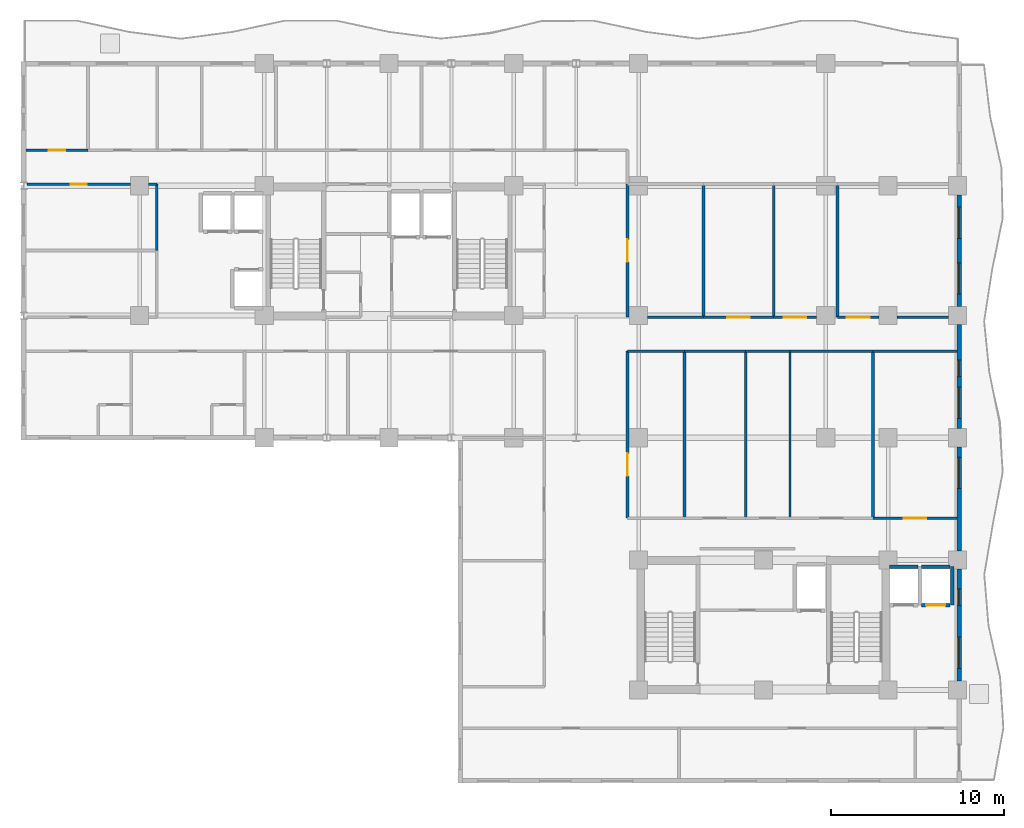
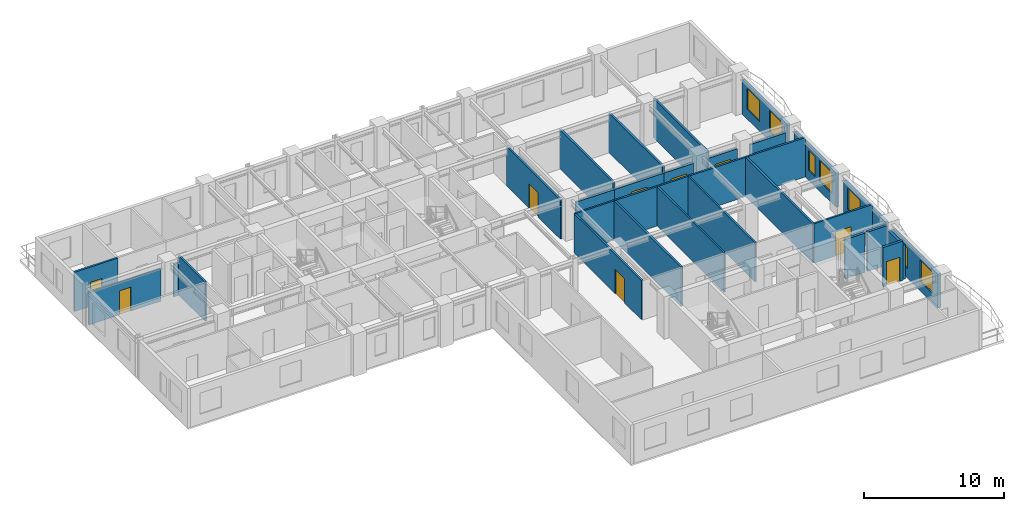
# One storey, part 7 of 12: 32 walls, 9 doors, 7 windows, 16 openings.
"""IFC4 building model written with IfcOpenShell, lengths in metres."""

from ifc_helpers import new_model, si_unit, direction, frame, frame_2d, origin, place, context, subcontext, project, spatial, rectangle, extrude, material, layer, layer_set, type_object, element, fill, save


model = new_model("IFC4")

# Units and contexts
model_context = context("Model", 3, precision=1e-05, world=origin(), true_north=direction((0.0, 1.0)))
body_context = subcontext(model_context, "Body", "Model", "MODEL_VIEW")
ifc_project = project(units=[si_unit("LENGTHUNIT", "METRE"), si_unit("AREAUNIT", "SQUARE_METRE"), si_unit("VOLUMEUNIT", "CUBIC_METRE"), si_unit("PLANEANGLEUNIT", "RADIAN"), si_unit("MASSUNIT", "GRAM", prefix="KILO")], contexts=[model_context])

# Site, building, storey
site_placement = place(None, origin())
site = spatial("IfcSite", under=ifc_project, at=site_placement, CompositionType="ELEMENT")
building_placement = place(site_placement, origin())
building = spatial("IfcBuilding", under=site, at=building_placement, Name="Kaliganga Portal Commons", CompositionType="ELEMENT")
storey_placement = place(building_placement, frame((0.0, 0.0, 147.60009765625)))
storey = spatial("IfcBuildingStorey", under=building, at=storey_placement, Name="L37", CompositionType="ELEMENT", Elevation=147.60009765625)

# Wall, openings, windows
ifc_material_1 = material(Name="Insulated Aluminium-Clad Spandrel Assembly", Category="aluminium")
ifc_layer_1 = layer(ifc_material_1, 0.260009765625)
ifc_layer_set_1 = layer_set([ifc_layer_1], Name="Insulated Aluminium-Clad Spandrel Assembly")
wall_type_1 = type_object("IfcWallType", Name="WL-EXT-SPAND-260", PredefinedType="STANDARD", material=ifc_layer_set_1)
wall_1_placement = place(storey_placement, frame((54.5, 14.02392578125, 0.0), z_axis=(0.0, 0.0, 1.0), x_axis=(0.0, -1.0, 0.0)))
wall_1 = element("IfcWall", 1, at=wall_1_placement, inside=storey, type_object=wall_type_1, Name="Exterior Envelope Wall L37 P1-E01-S2", PredefinedType="STANDARD", context=body_context, shape_type="SweptSolid", body=[
    extrude(rectangle(XDim=6.447998046875, YDim=0.260009765625, at=frame_2d((3.22412109375, 0.0))), origin(), (0.0, 0.0, 1.0), 2.989990234375),
])
opening_1_placement = place(wall_1_placement, frame((3.93603515625, 0.0, 0.85009765625)))
opening_1 = element("IfcOpeningElement", 2, at=opening_1_placement, cuts=wall_1, Name="Opening W-01", PredefinedType="OPENING", context=body_context, shape_type="SweptSolid", body=[
    extrude(rectangle(XDim=1.800048828125, YDim=1.85009765625, at=frame_2d((0.89990234375, 0.925048828125))), frame((0.0, 0.14013671875, 0.0), z_axis=(0.0, -1.0, 0.0), x_axis=(1.0, 0.0, 0.0)), (0.0, 0.0, 1.0), 0.280029296875),
])
opening_2_placement = place(wall_1_placement, frame((1.14990234375, 0.0, 0.85009765625)))
opening_2 = element("IfcOpeningElement", 3, at=opening_2_placement, cuts=wall_1, Name="Opening W-04", PredefinedType="OPENING", context=body_context, shape_type="SweptSolid", body=[
    extrude(rectangle(XDim=0.949951171875, YDim=1.75, at=frame_2d((0.47509765625, 0.875))), frame((0.0, 0.14013671875, 0.0), z_axis=(0.0, -1.0, 0.0), x_axis=(1.0, 0.0, 0.0)), (0.0, 0.0, 1.0), 0.280029296875),
])
ifc_material_2 = material(Name="Thermally Broken Aluminium and Low-E Double Glazing", Category="aluminium")
window_type_1 = type_object("IfcWindowType", Name="WIN-NARROW-950", PartitioningType="SINGLE_PANEL", PredefinedType="WINDOW", material=ifc_material_2)
window_1_placement = place(opening_2_placement, origin())
window_1 = element("IfcWindow", 4, at=window_1_placement, inside=storey, type_object=window_type_1, Name="Facade Window L37-P1E01S2-N1", OverallHeight=1.75, OverallWidth=0.949951171875, PartitioningType="SINGLE_PANEL", PredefinedType="WINDOW", context=body_context, shape_type="SweptSolid", body=[
    extrude(rectangle(XDim=0.949951171875, YDim=1.75, at=frame_2d((0.47509765625, 0.875))), frame((0.0, 0.030029296875, 0.0), z_axis=(0.0, -1.0, 0.0), x_axis=(1.0, 0.0, 0.0)), (0.0, 0.0, 1.0), 0.06005859375),
])
fill(opening_2, window_1)
window_type_2 = type_object("IfcWindowType", Name="WIN-STD-1800", PartitioningType="DOUBLE_PANEL_VERTICAL", PredefinedType="WINDOW", material=ifc_material_2)
window_2_placement = place(opening_1_placement, origin())
window_2 = element("IfcWindow", 5, at=window_2_placement, inside=storey, type_object=window_type_2, Name="Facade Window L37-P1E01S2-01", OverallHeight=1.85009765625, OverallWidth=1.800048828125, PartitioningType="SINGLE_PANEL", PredefinedType="WINDOW", context=body_context, shape_type="SweptSolid", body=[
    extrude(rectangle(XDim=1.800048828125, YDim=1.85009765625, at=frame_2d((0.89990234375, 0.925048828125))), frame((0.0, 0.030029296875, 0.0), z_axis=(0.0, -1.0, 0.0), x_axis=(1.0, 0.0, 0.0)), (0.0, 0.0, 1.0), 0.06005859375),
])
fill(opening_1, window_2)

# Wall, opening, window
wall_2_placement = place(storey_placement, frame((54.5, 21.073974609375, 0.0), z_axis=(0.0, 0.0, 1.0), x_axis=(0.0, -1.0, 0.0)))
wall_2 = element("IfcWall", 6, at=wall_2_placement, inside=storey, type_object=wall_type_1, Name="Exterior Envelope Wall L37 P1-E01-S3", PredefinedType="STANDARD", context=body_context, shape_type="SweptSolid", body=[
    extrude(rectangle(XDim=5.998046875, YDim=0.260009765625, at=frame_2d((2.9990234375, 0.0))), origin(), (0.0, 0.0, 1.0), 2.989990234375),
])
opening_3_placement = place(wall_2_placement, frame((0.599609375, 0.0, 0.85009765625)))
opening_3 = element("IfcOpeningElement", 7, at=opening_3_placement, cuts=wall_2, Name="Opening W-01", PredefinedType="OPENING", context=body_context, shape_type="SweptSolid", body=[
    extrude(rectangle(XDim=1.800048828125, YDim=1.85009765625, at=frame_2d((0.89990234375, 0.925048828125))), frame((0.0, 0.14013671875, 0.0), z_axis=(0.0, -1.0, 0.0), x_axis=(1.0, 0.0, 0.0)), (0.0, 0.0, 1.0), 0.280029296875),
])
window_3_placement = place(opening_3_placement, origin())
window_3 = element("IfcWindow", 8, at=window_3_placement, inside=storey, type_object=window_type_2, Name="Facade Window L37-P1E01S3-00", OverallHeight=1.85009765625, OverallWidth=1.800048828125, PartitioningType="SINGLE_PANEL", PredefinedType="WINDOW", context=body_context, shape_type="SweptSolid", body=[
    extrude(rectangle(XDim=1.800048828125, YDim=1.85009765625, at=frame_2d((0.89990234375, 0.925048828125))), frame((0.0, 0.030029296875, 0.0), z_axis=(0.0, -1.0, 0.0), x_axis=(1.0, 0.0, 0.0)), (0.0, 0.0, 1.0), 0.06005859375),
])
fill(opening_3, window_3)

# Wall, openings, windows
wall_3_placement = place(storey_placement, frame((54.5, 28.1240234375, 0.0), z_axis=(0.0, 0.0, 1.0), x_axis=(0.0, -1.0, 0.0)))
wall_3 = element("IfcWall", 9, at=wall_3_placement, inside=storey, type_object=wall_type_1, Name="Exterior Envelope Wall L37 P1-E01-S4", PredefinedType="STANDARD", context=body_context, shape_type="SweptSolid", body=[
    extrude(rectangle(XDim=5.998046875, YDim=0.260009765625, at=frame_2d((2.9990234375, 0.0))), origin(), (0.0, 0.0, 1.0), 2.989990234375),
])
opening_4_placement = place(wall_3_placement, frame((3.598388671875, 0.0, 0.85009765625)))
opening_4 = element("IfcOpeningElement", 10, at=opening_4_placement, cuts=wall_3, Name="Opening W-01", PredefinedType="OPENING", context=body_context, shape_type="SweptSolid", body=[
    extrude(rectangle(XDim=1.800048828125, YDim=1.85009765625, at=frame_2d((0.89990234375, 0.925048828125))), frame((0.0, 0.14013671875, 0.0), z_axis=(0.0, -1.0, 0.0), x_axis=(1.0, 0.0, 0.0)), (0.0, 0.0, 1.0), 0.280029296875),
])
opening_5_placement = place(wall_3_placement, frame((2.044189453125, 0.0, 0.85009765625)))
opening_5 = element("IfcOpeningElement", 11, at=opening_5_placement, cuts=wall_3, Name="Opening W-04", PredefinedType="OPENING", context=body_context, shape_type="SweptSolid", body=[
    extrude(rectangle(XDim=0.949951171875, YDim=1.75, at=frame_2d((0.47509765625, 0.875))), frame((0.0, 0.14013671875, 0.0), z_axis=(0.0, -1.0, 0.0), x_axis=(1.0, 0.0, 0.0)), (0.0, 0.0, 1.0), 0.280029296875),
])
window_4_placement = place(opening_5_placement, origin())
window_4 = element("IfcWindow", 12, at=window_4_placement, inside=storey, type_object=window_type_1, Name="Facade Window L37-P1E01S4-N5", OverallHeight=1.75, OverallWidth=0.949951171875, PartitioningType="SINGLE_PANEL", PredefinedType="WINDOW", context=body_context, shape_type="SweptSolid", body=[
    extrude(rectangle(XDim=0.949951171875, YDim=1.75, at=frame_2d((0.47509765625, 0.875))), frame((0.0, 0.030029296875, 0.0), z_axis=(0.0, -1.0, 0.0), x_axis=(1.0, 0.0, 0.0)), (0.0, 0.0, 1.0), 0.06005859375),
])
fill(opening_5, window_4)
window_5_placement = place(opening_4_placement, origin())
window_5 = element("IfcWindow", 13, at=window_5_placement, inside=storey, type_object=window_type_2, Name="Facade Window L37-P1E01S4-01", OverallHeight=1.85009765625, OverallWidth=1.800048828125, PartitioningType="SINGLE_PANEL", PredefinedType="WINDOW", context=body_context, shape_type="SweptSolid", body=[
    extrude(rectangle(XDim=1.800048828125, YDim=1.85009765625, at=frame_2d((0.89990234375, 0.925048828125))), frame((0.0, 0.030029296875, 0.0), z_axis=(0.0, -1.0, 0.0), x_axis=(1.0, 0.0, 0.0)), (0.0, 0.0, 1.0), 0.06005859375),
])
fill(opening_4, window_5)

wall_4_placement = place(storey_placement, frame((54.5, 35.6240234375, 0.0), z_axis=(0.0, 0.0, 1.0), x_axis=(0.0, -1.0, 0.0)))
wall_4 = element("IfcWall", 14, at=wall_4_placement, inside=storey, type_object=wall_type_1, Name="Exterior Envelope Wall L37 P1-E01-S5", PredefinedType="STANDARD", context=body_context, shape_type="SweptSolid", body=[
    extrude(rectangle(XDim=6.447998046875, YDim=0.260009765625, at=frame_2d((3.22412109375, 0.0))), origin(), (0.0, 0.0, 1.0), 2.989990234375),
])
opening_6_placement = place(wall_4_placement, frame((0.7119140625, 0.0, 0.85009765625)))
opening_6 = element("IfcOpeningElement", 15, at=opening_6_placement, cuts=wall_4, Name="Opening W-01", PredefinedType="OPENING", context=body_context, shape_type="SweptSolid", body=[
    extrude(rectangle(XDim=1.800048828125, YDim=1.85009765625, at=frame_2d((0.89990234375, 0.925048828125))), frame((0.0, 0.14013671875, 0.0), z_axis=(0.0, -1.0, 0.0), x_axis=(1.0, 0.0, 0.0)), (0.0, 0.0, 1.0), 0.280029296875),
])
opening_7_placement = place(wall_4_placement, frame((3.93603515625, 0.0, 0.85009765625)))
opening_7 = element("IfcOpeningElement", 16, at=opening_7_placement, cuts=wall_4, Name="Opening W-01", PredefinedType="OPENING", context=body_context, shape_type="SweptSolid", body=[
    extrude(rectangle(XDim=1.800048828125, YDim=1.85009765625, at=frame_2d((0.89990234375, 0.925048828125))), frame((0.0, 0.14013671875, 0.0), z_axis=(0.0, -1.0, 0.0), x_axis=(1.0, 0.0, 0.0)), (0.0, 0.0, 1.0), 0.280029296875),
])
window_6_placement = place(opening_6_placement, origin())
window_6 = element("IfcWindow", 17, at=window_6_placement, inside=storey, type_object=window_type_2, Name="Facade Window L37-P1E01S5-00", OverallHeight=1.85009765625, OverallWidth=1.800048828125, PartitioningType="SINGLE_PANEL", PredefinedType="WINDOW", context=body_context, shape_type="SweptSolid", body=[
    extrude(rectangle(XDim=1.800048828125, YDim=1.85009765625, at=frame_2d((0.89990234375, 0.925048828125))), frame((0.0, 0.030029296875, 0.0), z_axis=(0.0, -1.0, 0.0), x_axis=(1.0, 0.0, 0.0)), (0.0, 0.0, 1.0), 0.06005859375),
])
fill(opening_6, window_6)
window_7_placement = place(opening_7_placement, origin())
window_7 = element("IfcWindow", 18, at=window_7_placement, inside=storey, type_object=window_type_2, Name="Facade Window L37-P1E01S5-01", OverallHeight=1.85009765625, OverallWidth=1.800048828125, PartitioningType="SINGLE_PANEL", PredefinedType="WINDOW", context=body_context, shape_type="SweptSolid", body=[
    extrude(rectangle(XDim=1.800048828125, YDim=1.85009765625, at=frame_2d((0.89990234375, 0.925048828125))), frame((0.0, 0.030029296875, 0.0), z_axis=(0.0, -1.0, 0.0), x_axis=(1.0, 0.0, 0.0)), (0.0, 0.0, 1.0), 0.06005859375),
])
fill(opening_7, window_7)

# Wall, opening, door
ifc_material_3 = material(Name="Fire-Rated Gypsum Board on Steel Stud", Category="steel")
ifc_layer_2 = layer(ifc_material_3, 0.14990234375)
ifc_layer_set_2 = layer_set([ifc_layer_2], Name="Fire-Rated Gypsum Board on Steel Stud")
wall_type_2 = type_object("IfcWallType", Name="WL-PART-CORR-150", PredefinedType="PARTITIONING", material=ifc_layer_set_2)
wall_5_placement = place(storey_placement, frame((35.360107421875, 16.9599609375, 0.0), z_axis=(0.0, 0.0, 1.0), x_axis=(0.0, 1.0, 0.0)))
wall_5 = element("IfcWall", 19, at=wall_5_placement, inside=storey, type_object=wall_type_2, Name="Interior Partition L37-010", PredefinedType="PARTITIONING", context=body_context, shape_type="SweptSolid", body=[
    extrude(rectangle(XDim=9.64013671875, YDim=0.14990234375, at=frame_2d((4.820068359375, 0.0))), origin(), (0.0, 0.0, 1.0), 3.43994140625),
])
opening_8_placement = place(wall_5_placement, frame((2.434814453125, 0.0, 0.0)))
opening_8 = element("IfcOpeningElement", 20, at=opening_8_placement, cuts=wall_5, Name="Opening RD-03", PredefinedType="OPENING", context=body_context, shape_type="SweptSolid", body=[
    extrude(rectangle(XDim=1.300048828125, YDim=2.1201171875, at=frame_2d((0.64990234375, 1.06005859375))), frame((0.0, 0.0849609375, 0.0), z_axis=(0.0, -1.0, 0.0), x_axis=(1.0, 0.0, 0.0)), (0.0, 0.0, 1.0), 0.169921875),
])
ifc_material_4 = material(Name="Glazed Timber Seminar Vision Door", Category="wood")
door_type_1 = type_object("IfcDoorType", Name="DR-STUDY-1300", OperationType="DOUBLE_DOOR_SINGLE_SWING", PredefinedType="DOOR", material=ifc_material_4)
door_1_placement = place(opening_8_placement, origin())
door_1 = element("IfcDoor", 21, at=door_1_placement, inside=storey, type_object=door_type_1, Name="Interior Door L37-BM01", OperationType="DOUBLE_DOOR_SINGLE_SWING", OverallHeight=2.1201171875, OverallWidth=1.300048828125, PredefinedType="DOOR", context=body_context, shape_type="SweptSolid", body=[
    extrude(rectangle(XDim=1.300048828125, YDim=2.1201171875, at=frame_2d((0.64990234375, 1.06005859375))), frame((0.0, 0.02490234375, 0.0), z_axis=(0.0, -1.0, 0.0), x_axis=(1.0, 0.0, 0.0)), (0.0, 0.0, 1.0), 0.050048828125),
])
fill(opening_8, door_1)

wall_6_placement = place(storey_placement, frame((0.701904296875, 36.239990234375, 0.0), z_axis=(0.0, 0.0, 1.0), x_axis=(1.0, 0.0, 0.0)))
wall_6 = element("IfcWall", 22, at=wall_6_placement, inside=storey, type_object=wall_type_2, Name="Interior Partition L37-014", PredefinedType="PARTITIONING", context=body_context, shape_type="SweptSolid", body=[
    extrude(rectangle(XDim=5.97314453125, YDim=0.14990234375, at=frame_2d((2.986572265625, 0.0))), origin(), (0.0, 0.0, 1.0), 2.83984375),
])
opening_9_placement = place(wall_6_placement, frame((2.511474609375, 0.0, 0.0)))
opening_9 = element("IfcOpeningElement", 23, at=opening_9_placement, cuts=wall_6, Name="Opening UD-01", PredefinedType="OPENING", context=body_context, shape_type="SweptSolid", body=[
    extrude(rectangle(XDim=0.949951171875, YDim=2.10009765625, at=frame_2d((0.47509765625, 1.050048828125))), frame((0.0, 0.0849609375, 0.0), z_axis=(0.0, -1.0, 0.0), x_axis=(1.0, 0.0, 0.0)), (0.0, 0.0, 1.0), 0.169921875),
])
ifc_material_5 = material(Name="Solid-Core Timber Acoustic Fire Door", Category="wood")
door_type_2 = type_object("IfcDoorType", Name="DR-UNIT-950", OperationType="NOTDEFINED", PredefinedType="DOOR", material=ifc_material_5)
door_2_placement = place(opening_9_placement, origin())
door_2 = element("IfcDoor", 24, at=door_2_placement, inside=storey, type_object=door_type_2, Name="Interior Door L37-AW02", OperationType="SINGLE_SWING_RIGHT", OverallHeight=2.10009765625, OverallWidth=0.949951171875, PredefinedType="DOOR", context=body_context, shape_type="SweptSolid", body=[
    extrude(rectangle(XDim=0.949951171875, YDim=2.10009765625, at=frame_2d((0.47509765625, 1.050048828125))), frame((0.0, 0.02490234375, 0.0), z_axis=(0.0, -1.0, 0.0), x_axis=(1.0, 0.0, 0.0)), (0.0, 0.0, 1.0), 0.050048828125),
])
fill(opening_9, door_2)

# Wall
wall_7_placement = place(storey_placement, frame((7.72509765625, 36.239990234375, 0.0), z_axis=(0.0, 0.0, 1.0), x_axis=(1.0, 0.0, 0.0)))
element("IfcWall", 25, at=wall_7_placement, inside=storey, type_object=wall_type_2, Name="Interior Partition L37-015", PredefinedType="PARTITIONING", context=body_context, shape_type="SweptSolid", body=[
    extrude(rectangle(XDim=0.474853515625, YDim=0.14990234375, at=frame_2d((0.2373046875, 0.0))), origin(), (0.0, 0.0, 1.0), 2.83984375),
])

# Wall, opening, door
wall_8_placement = place(storey_placement, frame((35.360107421875, 28.56005859375, 0.0), z_axis=(0.0, 0.0, 1.0), x_axis=(0.0, 1.0, 0.0)))
wall_8 = element("IfcWall", 26, at=wall_8_placement, inside=storey, type_object=wall_type_2, Name="Interior Partition L37-016", PredefinedType="PARTITIONING", context=body_context, shape_type="SweptSolid", body=[
    extrude(rectangle(XDim=7.679931640625, YDim=0.14990234375, at=frame_2d((3.83984375, 0.0))), origin(), (0.0, 0.0, 1.0), 3.43994140625),
])
opening_10_placement = place(wall_8_placement, frame((3.18994140625, 0.0, 0.0)))
opening_10 = element("IfcOpeningElement", 27, at=opening_10_placement, cuts=wall_8, Name="Opening RD-03", PredefinedType="OPENING", context=body_context, shape_type="SweptSolid", body=[
    extrude(rectangle(XDim=1.300048828125, YDim=2.1201171875, at=frame_2d((0.64990234375, 1.06005859375))), frame((0.0, 0.0849609375, 0.0), z_axis=(0.0, -1.0, 0.0), x_axis=(1.0, 0.0, 0.0)), (0.0, 0.0, 1.0), 0.169921875),
])
door_3_placement = place(opening_10_placement, origin())
door_3 = element("IfcDoor", 28, at=door_3_placement, inside=storey, type_object=door_type_1, Name="Interior Door L37-BK01", OperationType="DOUBLE_DOOR_SINGLE_SWING", OverallHeight=2.1201171875, OverallWidth=1.300048828125, PredefinedType="DOOR", context=body_context, shape_type="SweptSolid", body=[
    extrude(rectangle(XDim=1.300048828125, YDim=2.1201171875, at=frame_2d((0.64990234375, 1.06005859375))), frame((0.0, 0.02490234375, 0.0), z_axis=(0.0, -1.0, 0.0), x_axis=(1.0, 0.0, 0.0)), (0.0, 0.0, 1.0), 0.050048828125),
])
fill(opening_10, door_3)

wall_9_placement = place(storey_placement, frame((47.47998046875, 28.56005859375, 0.0), z_axis=(0.0, 0.0, 1.0), x_axis=(1.0, 0.0, 0.0)))
wall_9 = element("IfcWall", 29, at=wall_9_placement, inside=storey, type_object=wall_type_2, Name="Interior Partition L37-020", PredefinedType="PARTITIONING", context=body_context, shape_type="SweptSolid", body=[
    extrude(rectangle(XDim=2.39501953125, YDim=0.14990234375, at=frame_2d((1.197509765625, 0.0))), origin(), (0.0, 0.0, 1.0), 2.83984375),
])
opening_11_placement = place(wall_9_placement, frame((0.547607421875, 0.0, 0.0)))
opening_11 = element("IfcOpeningElement", 30, at=opening_11_placement, cuts=wall_9, Name="Opening RD-03", PredefinedType="OPENING", context=body_context, shape_type="SweptSolid", body=[
    extrude(rectangle(XDim=1.300048828125, YDim=2.1201171875, at=frame_2d((0.64990234375, 1.06005859375))), frame((0.0, 0.0849609375, 0.0), z_axis=(0.0, -1.0, 0.0), x_axis=(1.0, 0.0, 0.0)), (0.0, 0.0, 1.0), 0.169921875),
])
door_4_placement = place(opening_11_placement, origin())
door_4 = element("IfcDoor", 31, at=door_4_placement, inside=storey, type_object=door_type_1, Name="Interior Door L37-BK04", OperationType="DOUBLE_DOOR_SINGLE_SWING", OverallHeight=2.1201171875, OverallWidth=1.300048828125, PredefinedType="DOOR", context=body_context, shape_type="SweptSolid", body=[
    extrude(rectangle(XDim=1.300048828125, YDim=2.1201171875, at=frame_2d((0.64990234375, 1.06005859375))), frame((0.0, 0.02490234375, 0.0), z_axis=(0.0, -1.0, 0.0), x_axis=(1.0, 0.0, 0.0)), (0.0, 0.0, 1.0), 0.050048828125),
])
fill(opening_11, door_4)

# Wall
wall_10_placement = place(storey_placement, frame((50.925048828125, 28.56005859375, 0.0), z_axis=(0.0, 0.0, 1.0), x_axis=(1.0, 0.0, 0.0)))
element("IfcWall", 32, at=wall_10_placement, inside=storey, type_object=wall_type_2, Name="Interior Partition L37-021", PredefinedType="PARTITIONING", context=body_context, shape_type="SweptSolid", body=[
    extrude(rectangle(XDim=2.949951171875, YDim=0.14990234375, at=frame_2d((1.47509765625, 0.0))), origin(), (0.0, 0.0, 1.0), 2.83984375),
])

# Wall, opening, door
wall_11_placement = place(storey_placement, frame((49.52001953125, 16.9599609375, 0.0), z_axis=(0.0, 0.0, 1.0), x_axis=(1.0, 0.0, 0.0)))
wall_11 = element("IfcWall", 33, at=wall_11_placement, inside=storey, type_object=wall_type_2, Name="Interior Partition L37-028", PredefinedType="PARTITIONING", context=body_context, shape_type="SweptSolid", body=[
    extrude(rectangle(XDim=4.847900390625, YDim=0.14990234375, at=frame_2d((2.423828125, 0.0))), origin(), (0.0, 0.0, 1.0), 3.43994140625),
])
opening_12_placement = place(wall_11_placement, frame((1.77392578125, 0.0, 0.0)))
opening_12 = element("IfcOpeningElement", 34, at=opening_12_placement, cuts=wall_11, Name="Opening RD-03", PredefinedType="OPENING", context=body_context, shape_type="SweptSolid", body=[
    extrude(rectangle(XDim=1.300048828125, YDim=2.1201171875, at=frame_2d((0.64990234375, 1.06005859375))), frame((0.0, 0.0849609375, 0.0), z_axis=(0.0, -1.0, 0.0), x_axis=(1.0, 0.0, 0.0)), (0.0, 0.0, 1.0), 0.169921875),
])
door_5_placement = place(opening_12_placement, origin())
door_5 = element("IfcDoor", 35, at=door_5_placement, inside=storey, type_object=door_type_1, Name="Interior Door L37-BM05", OperationType="DOUBLE_DOOR_SINGLE_SWING", OverallHeight=2.1201171875, OverallWidth=1.300048828125, PredefinedType="DOOR", context=body_context, shape_type="SweptSolid", body=[
    extrude(rectangle(XDim=1.300048828125, YDim=2.1201171875, at=frame_2d((0.64990234375, 1.06005859375))), frame((0.0, 0.02490234375, 0.0), z_axis=(0.0, -1.0, 0.0), x_axis=(1.0, 0.0, 0.0)), (0.0, 0.0, 1.0), 0.050048828125),
])
fill(opening_12, door_5)

# Walls
wall_12_placement = place(storey_placement, frame((49.52001953125, 26.60009765625, 0.0), z_axis=(0.0, 0.0, 1.0), x_axis=(1.0, 0.0, 0.0)))
element("IfcWall", 36, at=wall_12_placement, inside=storey, type_object=wall_type_2, Name="Interior Partition L37-029", PredefinedType="PARTITIONING", context=body_context, shape_type="SweptSolid", body=[
    extrude(rectangle(XDim=4.847900390625, YDim=0.14990234375, at=frame_2d((2.423828125, 0.0))), origin(), (0.0, 0.0, 1.0), 3.43994140625),
])
wall_13_placement = place(storey_placement, frame((44.739990234375, 26.60009765625, 0.0), z_axis=(0.0, 0.0, 1.0), x_axis=(1.0, 0.0, 0.0)))
element("IfcWall", 37, at=wall_13_placement, inside=storey, type_object=wall_type_2, Name="Interior Partition L37-033", PredefinedType="PARTITIONING", context=body_context, shape_type="SweptSolid", body=[
    extrude(rectangle(XDim=4.780029296875, YDim=0.14990234375, at=frame_2d((2.39013671875, 0.0))), origin(), (0.0, 0.0, 1.0), 3.43994140625),
])
wall_14_placement = place(storey_placement, frame((36.52490234375, 28.56005859375, 0.0), z_axis=(0.0, 0.0, 1.0), x_axis=(1.0, 0.0, 0.0)))
element("IfcWall", 38, at=wall_14_placement, inside=storey, type_object=wall_type_2, Name="Interior Partition L37-034", PredefinedType="PARTITIONING", context=body_context, shape_type="SweptSolid", body=[
    extrude(rectangle(XDim=3.215087890625, YDim=0.14990234375, at=frame_2d((1.607421875, 0.0))), origin(), (0.0, 0.0, 1.0), 2.83984375),
])

# Wall, opening, door
wall_15_placement = place(storey_placement, frame((39.739990234375, 28.56005859375, 0.0), z_axis=(0.0, 0.0, 1.0), x_axis=(1.0, 0.0, 0.0)))
wall_15 = element("IfcWall", 39, at=wall_15_placement, inside=storey, type_object=wall_type_2, Name="Interior Partition L37-036", PredefinedType="PARTITIONING", context=body_context, shape_type="SweptSolid", body=[
    extrude(rectangle(XDim=4.06005859375, YDim=0.14990234375, at=frame_2d((2.030029296875, 0.0))), origin(), (0.0, 0.0, 1.0), 2.83984375),
])
opening_13_placement = place(wall_15_placement, frame((1.3798828125, 0.0, 0.0)))
opening_13 = element("IfcOpeningElement", 40, at=opening_13_placement, cuts=wall_15, Name="Opening RD-03", PredefinedType="OPENING", context=body_context, shape_type="SweptSolid", body=[
    extrude(rectangle(XDim=1.300048828125, YDim=2.1201171875, at=frame_2d((0.64990234375, 1.06005859375))), frame((0.0, 0.0849609375, 0.0), z_axis=(0.0, -1.0, 0.0), x_axis=(1.0, 0.0, 0.0)), (0.0, 0.0, 1.0), 0.169921875),
])
door_6_placement = place(opening_13_placement, origin())
door_6 = element("IfcDoor", 41, at=door_6_placement, inside=storey, type_object=door_type_1, Name="Interior Door L37-BK02", OperationType="DOUBLE_DOOR_SINGLE_SWING", OverallHeight=2.1201171875, OverallWidth=1.300048828125, PredefinedType="DOOR", context=body_context, shape_type="SweptSolid", body=[
    extrude(rectangle(XDim=1.300048828125, YDim=2.1201171875, at=frame_2d((0.64990234375, 1.06005859375))), frame((0.0, 0.02490234375, 0.0), z_axis=(0.0, -1.0, 0.0), x_axis=(1.0, 0.0, 0.0)), (0.0, 0.0, 1.0), 0.050048828125),
])
fill(opening_13, door_6)

# Wall
wall_16_placement = place(storey_placement, frame((8.199951171875, 32.39990234375, 0.0), z_axis=(0.0, 0.0, 1.0), x_axis=(0.0, 1.0, 0.0)))
element("IfcWall", 42, at=wall_16_placement, inside=storey, type_object=wall_type_2, Name="Interior Partition L37-038", PredefinedType="PARTITIONING", context=body_context, shape_type="SweptSolid", body=[
    extrude(rectangle(XDim=3.840087890625, YDim=0.14990234375, at=frame_2d((1.919921875, 0.0))), origin(), (0.0, 0.0, 1.0), 3.43994140625),
])

# Wall, opening, door
wall_17_placement = place(storey_placement, frame((0.632080078125, 38.199951171875, 0.0), z_axis=(0.0, 0.0, 1.0), x_axis=(1.0, 0.0, 0.0)))
wall_17 = element("IfcWall", 43, at=wall_17_placement, inside=storey, type_object=wall_type_2, Name="Interior Partition L37-042", PredefinedType="PARTITIONING", context=body_context, shape_type="SweptSolid", body=[
    extrude(rectangle(XDim=3.587890625, YDim=0.14990234375, at=frame_2d((1.7939453125, 0.0))), origin(), (0.0, 0.0, 1.0), 3.43994140625),
])
opening_14_placement = place(wall_17_placement, frame((1.319091796875, 0.0, 0.0)))
opening_14 = element("IfcOpeningElement", 44, at=opening_14_placement, cuts=wall_17, Name="Opening UD-01", PredefinedType="OPENING", context=body_context, shape_type="SweptSolid", body=[
    extrude(rectangle(XDim=0.949951171875, YDim=2.10009765625, at=frame_2d((0.47509765625, 1.050048828125))), frame((0.0, 0.0849609375, 0.0), z_axis=(0.0, -1.0, 0.0), x_axis=(1.0, 0.0, 0.0)), (0.0, 0.0, 1.0), 0.169921875),
])
door_7_placement = place(opening_14_placement, origin())
door_7 = element("IfcDoor", 45, at=door_7_placement, inside=storey, type_object=door_type_2, Name="Interior Door L37-AN01", OperationType="SINGLE_SWING_RIGHT", OverallHeight=2.10009765625, OverallWidth=0.949951171875, PredefinedType="DOOR", context=body_context, shape_type="SweptSolid", body=[
    extrude(rectangle(XDim=0.949951171875, YDim=2.10009765625, at=frame_2d((0.47509765625, 1.050048828125))), frame((0.0, 0.02490234375, 0.0), z_axis=(0.0, -1.0, 0.0), x_axis=(1.0, 0.0, 0.0)), (0.0, 0.0, 1.0), 0.050048828125),
])
fill(opening_14, door_7)

wall_18_placement = place(storey_placement, frame((43.800048828125, 28.56005859375, 0.0), z_axis=(0.0, 0.0, 1.0), x_axis=(1.0, 0.0, 0.0)))
wall_18 = element("IfcWall", 46, at=wall_18_placement, inside=storey, type_object=wall_type_2, Name="Interior Partition L37-043", PredefinedType="PARTITIONING", context=body_context, shape_type="SweptSolid", body=[
    extrude(rectangle(XDim=2.474853515625, YDim=0.14990234375, at=frame_2d((1.2373046875, 0.0))), origin(), (0.0, 0.0, 1.0), 2.83984375),
])
opening_15_placement = place(wall_18_placement, frame((0.58740234375, 0.0, 0.0)))
opening_15 = element("IfcOpeningElement", 47, at=opening_15_placement, cuts=wall_18, Name="Opening RD-03", PredefinedType="OPENING", context=body_context, shape_type="SweptSolid", body=[
    extrude(rectangle(XDim=1.300048828125, YDim=2.1201171875, at=frame_2d((0.64990234375, 1.06005859375))), frame((0.0, 0.0849609375, 0.0), z_axis=(0.0, -1.0, 0.0), x_axis=(1.0, 0.0, 0.0)), (0.0, 0.0, 1.0), 0.169921875),
])
door_8_placement = place(opening_15_placement, origin())
door_8 = element("IfcDoor", 48, at=door_8_placement, inside=storey, type_object=door_type_1, Name="Interior Door L37-BK03", OperationType="DOUBLE_DOOR_SINGLE_SWING", OverallHeight=2.1201171875, OverallWidth=1.300048828125, PredefinedType="DOOR", context=body_context, shape_type="SweptSolid", body=[
    extrude(rectangle(XDim=1.300048828125, YDim=2.1201171875, at=frame_2d((0.64990234375, 1.06005859375))), frame((0.0, 0.02490234375, 0.0), z_axis=(0.0, -1.0, 0.0), x_axis=(1.0, 0.0, 0.0)), (0.0, 0.0, 1.0), 0.050048828125),
])
fill(opening_15, door_8)

# Walls
wall_19_placement = place(storey_placement, frame((38.639892578125, 26.60009765625, 0.0), z_axis=(0.0, 0.0, 1.0), x_axis=(1.0, 0.0, 0.0)))
element("IfcWall", 49, at=wall_19_placement, inside=storey, type_object=wall_type_2, Name="Interior Partition L37-046", PredefinedType="PARTITIONING", context=body_context, shape_type="SweptSolid", body=[
    extrude(rectangle(XDim=3.5400390625, YDim=0.14990234375, at=frame_2d((1.77001953125, 0.0))), origin(), (0.0, 0.0, 1.0), 3.43994140625),
])
wall_20_placement = place(storey_placement, frame((35.360107421875, 26.60009765625, 0.0), z_axis=(0.0, 0.0, 1.0), x_axis=(1.0, 0.0, 0.0)))
element("IfcWall", 50, at=wall_20_placement, inside=storey, type_object=wall_type_2, Name="Interior Partition L37-048", PredefinedType="PARTITIONING", context=body_context, shape_type="SweptSolid", body=[
    extrude(rectangle(XDim=3.27978515625, YDim=0.14990234375, at=frame_2d((1.639892578125, 0.0))), origin(), (0.0, 0.0, 1.0), 3.43994140625),
])
wall_21_placement = place(storey_placement, frame((42.179931640625, 26.60009765625, 0.0), z_axis=(0.0, 0.0, 1.0), x_axis=(1.0, 0.0, 0.0)))
element("IfcWall", 51, at=wall_21_placement, inside=storey, type_object=wall_type_2, Name="Interior Partition L37-051", PredefinedType="PARTITIONING", context=body_context, shape_type="SweptSolid", body=[
    extrude(rectangle(XDim=2.56005859375, YDim=0.14990234375, at=frame_2d((1.280029296875, 0.0))), origin(), (0.0, 0.0, 1.0), 3.43994140625),
])
ifc_material_6 = material(Name="Twin-Stud Acoustic Gypsum Partition", Category="gypsum")
ifc_layer_3 = layer(ifc_material_6, 0.1650390625)
ifc_layer_set_3 = layer_set([ifc_layer_3], Name="Twin-Stud Acoustic Gypsum Partition")
wall_type_3 = type_object("IfcWallType", Name="WL-PART-UNIT-165", PredefinedType="PARTITIONING", material=ifc_layer_set_3)
for number, where, z_axis, x_axis, name in (
    (52, (38.639892578125, 16.9599609375, 0.0), (0.0, 0.0, 1.0), (0.0, 1.0, 0.0), "Interior Partition L37-061"),
    (53, (49.52001953125, 16.9599609375, 0.0), (0.0, 0.0, 1.0), (0.0, 1.0, 0.0), "Interior Partition L37-064"),
):
    element("IfcWall", number, at=place(storey_placement, frame(where, z_axis=z_axis, x_axis=x_axis)), inside=storey, type_object=wall_type_3, Name=name, PredefinedType="PARTITIONING", context=body_context, shape_type="SweptSolid", body=[
        extrude(rectangle(XDim=9.64013671875, YDim=0.1650390625, at=frame_2d((4.820068359375, 0.0))), origin(), (0.0, 0.0, 1.0), 3.43994140625),
    ])
for number, where, z_axis, x_axis, name in (
    (54, (39.739990234375, 28.56005859375, 0.0), (0.0, 0.0, 1.0), (0.0, 1.0, 0.0), "Interior Partition L37-066"),
    (55, (43.800048828125, 28.56005859375, 0.0), (0.0, 0.0, 1.0), (0.0, 1.0, 0.0), "Interior Partition L37-067"),
    (56, (47.47998046875, 28.56005859375, 0.0), (0.0, 0.0, 1.0), (0.0, 1.0, 0.0), "Interior Partition L37-068"),
):
    element("IfcWall", number, at=place(storey_placement, frame(where, z_axis=z_axis, x_axis=x_axis)), inside=storey, type_object=wall_type_3, Name=name, PredefinedType="PARTITIONING", context=body_context, shape_type="SweptSolid", body=[
        extrude(rectangle(XDim=7.679931640625, YDim=0.1650390625, at=frame_2d((3.83984375, 0.0))), origin(), (0.0, 0.0, 1.0), 3.43994140625),
    ])
ifc_material_7 = material(Name="Cement-Board Wet-Room Partition", Category="gypsum")
ifc_layer_4 = layer(ifc_material_7, 0.135009765625)
ifc_layer_set_4 = layer_set([ifc_layer_4], Name="Cement-Board Wet-Room Partition")
wall_type_4 = type_object("IfcWallType", Name="WL-PART-WET-135", PredefinedType="PARTITIONING", material=ifc_layer_set_4)
for number, where, z_axis, x_axis, name in (
    (57, (42.179931640625, 16.9599609375, 0.0), (0.0, 0.0, 1.0), (0.0, 1.0, 0.0), "Interior Partition L37-062"),
    (58, (44.739990234375, 16.9599609375, 0.0), (0.0, 0.0, 1.0), (0.0, 1.0, 0.0), "Interior Partition L37-063"),
):
    element("IfcWall", number, at=place(storey_placement, frame(where, z_axis=z_axis, x_axis=x_axis)), inside=storey, type_object=wall_type_4, Name=name, PredefinedType="PARTITIONING", context=body_context, shape_type="SweptSolid", body=[
        extrude(rectangle(XDim=9.64013671875, YDim=0.135009765625, at=frame_2d((4.820068359375, 0.0))), origin(), (0.0, 0.0, 1.0), 3.43994140625),
    ])
ifc_material_8 = material(Name="Fire-Rated Shaftwall Masonry Assembly", Category="masonry")
ifc_layer_5 = layer(ifc_material_8, 0.199951171875)
ifc_layer_set_5 = layer_set([ifc_layer_5], Name="Fire-Rated Shaftwall Masonry Assembly")
wall_type_5 = type_object("IfcWallType", Name="WL-SHAFT-200", PredefinedType="PARTITIONING", material=ifc_layer_set_5)
wall_22_placement = place(storey_placement, frame((50.47509765625, 14.1650390625, 0.0), z_axis=(0.0, 0.0, 1.0), x_axis=(1.0, 0.0, 0.0)))
element("IfcWall", 59, at=wall_22_placement, inside=storey, type_object=wall_type_5, Name="Lift PL-B3 Hoistway Shaft Wall L37-N", PredefinedType="PARTITIONING", context=body_context, shape_type="SweptSolid", body=[
    extrude(rectangle(XDim=1.64990234375, YDim=0.199951171875, at=frame_2d((0.824951171875, 0.0))), origin(), (0.0, 0.0, 1.0), 3.43994140625),
])

# Wall, opening, door
wall_23_placement = place(storey_placement, frame((52.324951171875, 11.93505859375, 0.0), z_axis=(0.0, 0.0, 1.0), x_axis=(1.0, 0.0, 0.0)))
wall_23 = element("IfcWall", 60, at=wall_23_placement, inside=storey, type_object=wall_type_5, Name="Lift PL-B4 Hoistway Shaft Wall L37-S", PredefinedType="PARTITIONING", context=body_context, shape_type="SweptSolid", body=[
    extrude(rectangle(XDim=1.650146484375, YDim=0.199951171875, at=frame_2d((0.8251953125, 0.0))), origin(), (0.0, 0.0, 1.0), 3.43994140625),
])
opening_16_placement = place(wall_23_placement, frame((0.27490234375, 0.0, 0.0)))
opening_16 = element("IfcOpeningElement", 61, at=opening_16_placement, cuts=wall_23, Name="Opening LD-01", PredefinedType="OPENING", context=body_context, shape_type="SweptSolid", body=[
    extrude(rectangle(XDim=1.10009765625, YDim=2.1201171875, at=frame_2d((0.550048828125, 1.06005859375))), frame((0.0, 0.10986328125, 0.0), z_axis=(0.0, -1.0, 0.0), x_axis=(1.0, 0.0, 0.0)), (0.0, 0.0, 1.0), 0.219970703125),
])
ifc_material_9 = material(Name="Brushed Stainless Steel 316 Lift Landing Door", Category="steel")
door_type_3 = type_object("IfcDoorType", Name="DR-LIFT-1100", OperationType="SLIDING_TO_LEFT", PredefinedType="DOOR", material=ifc_material_9)
door_9_placement = place(opening_16_placement, origin())
door_9 = element("IfcDoor", 62, at=door_9_placement, inside=storey, type_object=door_type_3, Name="Lift PL-B4 Sliding Landing Door L37", OperationType="SLIDING_TO_LEFT", OverallHeight=2.1201171875, OverallWidth=1.10009765625, PredefinedType="DOOR", context=body_context, shape_type="SweptSolid", body=[
    extrude(rectangle(XDim=1.10009765625, YDim=2.1201171875, at=frame_2d((0.550048828125, 1.06005859375))), frame((0.0, 0.02490234375, 0.0), z_axis=(0.0, -1.0, 0.0), x_axis=(1.0, 0.0, 0.0)), (0.0, 0.0, 1.0), 0.050048828125),
])
fill(opening_16, door_9)

# Walls
wall_24_placement = place(storey_placement, frame((52.324951171875, 14.1650390625, 0.0), z_axis=(0.0, 0.0, 1.0), x_axis=(1.0, 0.0, 0.0)))
element("IfcWall", 63, at=wall_24_placement, inside=storey, type_object=wall_type_5, Name="Lift PL-B4 Hoistway Shaft Wall L37-N", PredefinedType="PARTITIONING", context=body_context, shape_type="SweptSolid", body=[
    extrude(rectangle(XDim=1.650146484375, YDim=0.199951171875, at=frame_2d((0.8251953125, 0.0))), origin(), (0.0, 0.0, 1.0), 3.43994140625),
])
wall_25_placement = place(storey_placement, frame((54.114990234375, 11.93505859375, 0.0), z_axis=(0.0, 0.0, 1.0), x_axis=(0.0, 1.0, 0.0)))
element("IfcWall", 64, at=wall_25_placement, inside=storey, type_object=wall_type_5, Name="Lift PL-B4 Hoistway Shaft Wall L37-E", PredefinedType="PARTITIONING", context=body_context, shape_type="SweptSolid", body=[
    extrude(rectangle(XDim=2.22998046875, YDim=0.199951171875, at=frame_2d((1.114990234375, 0.0))), origin(), (0.0, 0.0, 1.0), 2.989990234375),
])

save(model, "model.ifc")
